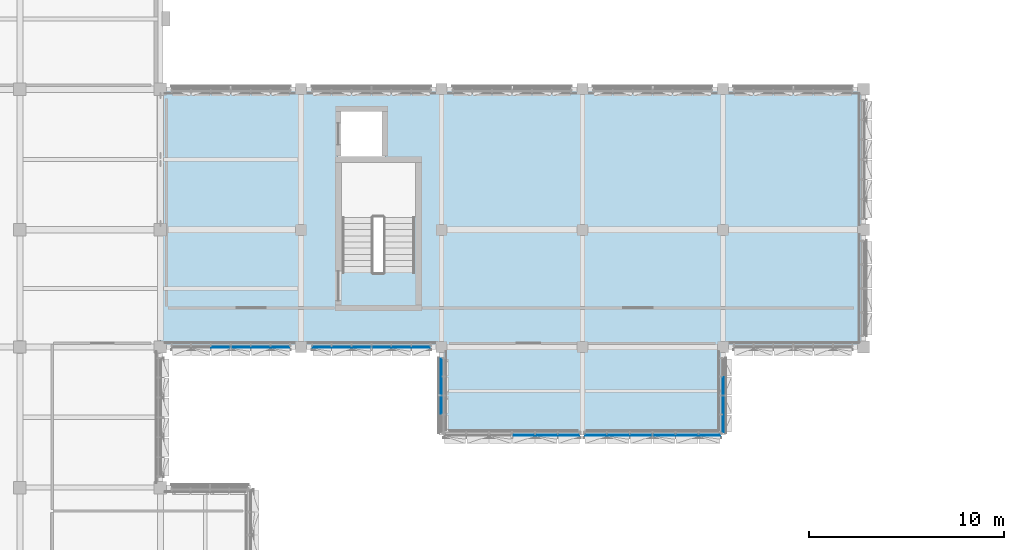
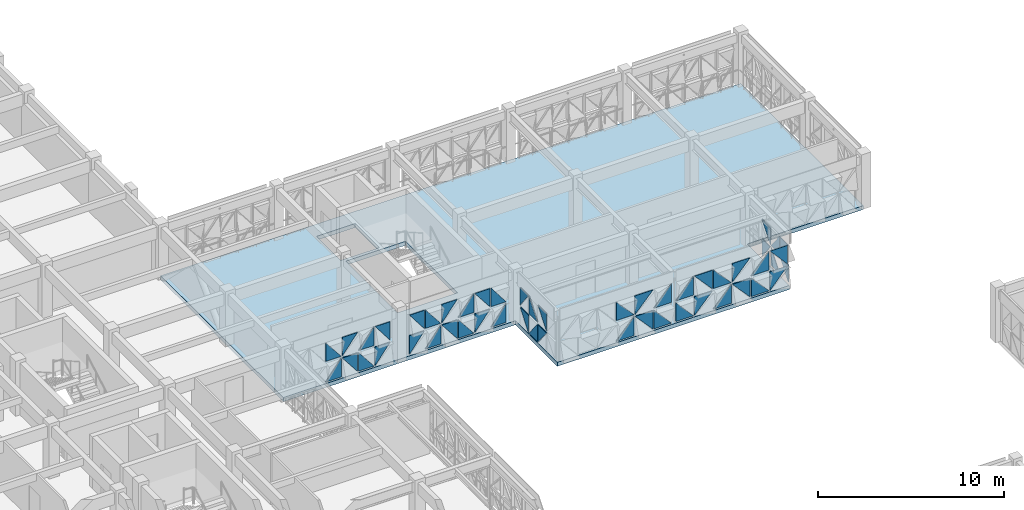
# One storey, part 35 of 85: 50 plates, 1 slab, 6 elements without a shape of their own.
"""IFC4 building model written with IfcOpenShell, lengths in metres."""

import ifcopenshell
import ifcopenshell.guid

model = None  # the IFC model being written
_history = None  # IfcOwnerHistory: only IFC2X3 demands one
_inside = {}  # id of a spatial element -> (the spatial element, [elements in it])
_under = {}  # id of a project, library or spatial element -> (it, [spatial elements below it])
_declared = {}  # id of a project -> (the project, [libraries it declares])
_typed = {}  # id of a type object -> (the type object, [elements of that type])
_made_of = {}  # id of a material, layer set ... -> (it, [elements and type objects made of it])


def new_model(schema):
    """Start an empty IFC model of exactly this schema.

    Asked for "IFC4X3", IfcOpenShell would pick the latest addendum, in which some entities
    have other attributes; the version numbers below select the first issue.
    IFC2X3 requires an IfcOwnerHistory on every rooted entity: one is made here for all.
    """
    global model, _history
    if schema == "IFC4X3":
        model = ifcopenshell.file(schema_version=(4, 3, 0, 0))
    else:
        model = ifcopenshell.file(schema=schema)
    _inside.clear()
    _under.clear()
    _declared.clear()
    _typed.clear()
    _made_of.clear()
    _history = None
    if model.schema == "IFC2X3":
        org = make("IfcOrganization", Name="unknown")
        user = make(
            "IfcPersonAndOrganization",
            ThePerson=make("IfcPerson", FamilyName="unknown"),
            TheOrganization=org,
        )
        app = make(
            "IfcApplication",
            ApplicationDeveloper=org,
            Version="unknown",
            ApplicationFullName="unknown",
            ApplicationIdentifier="unknown",
        )
        _history = make(
            "IfcOwnerHistory",
            OwningUser=user,
            OwningApplication=app,
            ChangeAction="ADDED",
            CreationDate=0,
        )
    return model


def make(cls, **values):
    """One entity of the class cls with the attributes given. An attribute that is None is left unset."""
    return model.create_entity(
        cls, **{name: value for name, value in values.items() if value is not None}
    )


def rooted(cls, **values):
    """An entity with a GlobalId (a new one), such as an element, a storey or a relation."""
    return make(cls, GlobalId=ifcopenshell.guid.new(), OwnerHistory=_history, **values)


def si_unit(unit_type, name, prefix=None):
    """IfcSIUnit, for example si_unit("LENGTHUNIT", "METRE", prefix="MILLI")."""
    return make("IfcSIUnit", UnitType=unit_type, Prefix=prefix, Name=name)


def assignment(units):
    """IfcUnitAssignment: the units of a project."""
    return None if units is None else make("IfcUnitAssignment", Units=units)


def point(xyz):
    """IfcCartesianPoint."""
    return None if xyz is None else make("IfcCartesianPoint", Coordinates=xyz)


def direction(xyz):
    """IfcDirection."""
    return None if xyz is None else make("IfcDirection", DirectionRatios=xyz)


def frame(location, z_axis=None, x_axis=None):
    """IfcAxis2Placement3D, a coordinate frame: its origin and axes. An axis left out is left unset."""
    return make(
        "IfcAxis2Placement3D",
        Location=point(location),
        Axis=direction(z_axis),
        RefDirection=direction(x_axis),
    )


def origin():
    """The frame at (0, 0, 0) with its axes left unset."""
    return frame((0.0, 0.0, 0.0))


def place(relative_to, where):
    """IfcLocalPlacement: puts the frame where relative to a parent placement (None: the world)."""
    return make(
        "IfcLocalPlacement", PlacementRelTo=relative_to, RelativePlacement=where
    )


def context(
    kind, dimensions, precision=None, world=None, true_north=None, identifier=None
):
    """IfcGeometricRepresentationContext, for example the 3D "Model" context."""
    return make(
        "IfcGeometricRepresentationContext",
        ContextIdentifier=identifier,
        ContextType=kind,
        CoordinateSpaceDimension=dimensions,
        Precision=precision,
        WorldCoordinateSystem=world,
        TrueNorth=true_north,
    )


def subcontext(parent, identifier, kind, view, scale=None):
    """IfcGeometricRepresentationSubContext, for example "Body" below "Model"."""
    return make(
        "IfcGeometricRepresentationSubContext",
        ContextIdentifier=identifier,
        ContextType=kind,
        ParentContext=parent,
        TargetScale=scale,
        TargetView=view,
    )


def project(units=None, contexts=None):
    """IfcProject with its units and contexts."""
    return rooted(
        "IfcProject",
        Name="project",
        RepresentationContexts=contexts,
        UnitsInContext=assignment(units),
    )


def spatial(cls, under=None, at=None, **own):
    """A site, building, storey or space (cls), placed at a placement, below another one or the project."""
    s = rooted(cls, ObjectPlacement=at, **own)
    if under is not None:
        _under.setdefault(under.id(), (under, []))[1].append(s)
    return s


def polyline(points):
    """IfcPolyline through the points."""
    return make("IfcPolyline", Points=[point(p) for p in points])


def outline(outer, holes=None, kind="AREA"):
    """IfcArbitraryClosedProfileDef: a profile drawn as a closed curve; with holes, ...WithVoids."""
    if holes is None:
        return make("IfcArbitraryClosedProfileDef", ProfileType=kind, OuterCurve=outer)
    return make(
        "IfcArbitraryProfileDefWithVoids",
        ProfileType=kind,
        OuterCurve=outer,
        InnerCurves=holes,
    )


def extrude(swept, where, along, depth):
    """IfcExtrudedAreaSolid: the profile swept, set in the frame where, extruded along a direction by depth."""
    return make(
        "IfcExtrudedAreaSolid",
        SweptArea=swept,
        Position=where,
        ExtrudedDirection=direction(along),
        Depth=depth,
    )


def shape(context_of_items, identifier, shape_type, items):
    """IfcShapeRepresentation: the items that make up one representation, for example the "Body"."""
    return make(
        "IfcShapeRepresentation",
        ContextOfItems=context_of_items,
        RepresentationIdentifier=identifier,
        RepresentationType=shape_type,
        Items=items,
    )


def material(Name=None, Category=None):
    """IfcMaterial."""
    return make("IfcMaterial", Name=Name, Category=Category)


def layer(
    of_material, thickness, ventilated=None, Name=None, Category=None, Priority=None
):
    """IfcMaterialLayer: one layer of a wall or slab, of a material (None: an air gap)."""
    return make(
        "IfcMaterialLayer",
        Material=of_material,
        LayerThickness=thickness,
        IsVentilated=ventilated,
        Name=Name,
        Category=Category,
        Priority=Priority,
    )


def layer_set(layers, Name=None):
    """IfcMaterialLayerSet."""
    return make("IfcMaterialLayerSet", MaterialLayers=layers, LayerSetName=Name)


def made_of(thing, what):
    """Note that an element or type object is made of a material, layer set ...; save() writes the relation."""
    if what is not None:
        _made_of.setdefault(what.id(), (what, []))[1].append(thing)
    return thing


def type_object(cls, material=None, **own):
    """A type object (cls), such as IfcWallType, which elements share."""
    return made_of(rooted(cls, **own), material)


def element(
    cls,
    number,
    at=None,
    inside=None,
    cuts=None,
    type_object=None,
    material=None,
    context=None,
    identifier="Body",
    shape_type=None,
    held_by="IfcProductDefinitionShape",
    body=None,
    shapes=None,
    **own,
):
    """One element of the class cls, such as IfcWall. Its Tag is "e" and its number.

    at: its placement. inside: the storey or other place that contains it. cuts: it is an
    opening in that element (IfcRelVoidsElement). A single representation is given by context,
    identifier, shape_type and body (its items); several are given by shapes. held_by: the class
    of the entity that holds the representations. save() writes the other relations.
    """
    e = rooted(cls, Tag="e%d" % number, ObjectPlacement=at, **own)
    if body is not None:
        shapes = [shape(context, identifier, shape_type, body)]
    if shapes is not None:
        e.Representation = make(held_by, Representations=shapes)
    if inside is not None:
        _inside.setdefault(inside.id(), (inside, []))[1].append(e)
    if cuts is not None:
        rooted(
            "IfcRelVoidsElement", RelatingBuildingElement=cuts, RelatedOpeningElement=e
        )
    if type_object is not None:
        _typed.setdefault(type_object.id(), (type_object, []))[1].append(e)
    return made_of(e, material)


def aggregate(whole, parts):
    """IfcRelAggregates: a whole, such as a stair, and the parts it consists of."""
    return rooted("IfcRelAggregates", RelatingObject=whole, RelatedObjects=parts)


def save(model, path):
    """Write the relations noted so far, then the file.

    IfcRelAggregates (storeys below a building ...), IfcRelContainedInSpatialStructure (elements
    in a storey), IfcRelDefinesByType, IfcRelAssociatesMaterial and IfcRelDeclares: one each for
    every whole, place, type object, material and project.
    """
    for whole, parts in _under.values():
        aggregate(whole, parts)
    for where, things in _inside.values():
        rooted(
            "IfcRelContainedInSpatialStructure",
            RelatedElements=things,
            RelatingStructure=where,
        )
    for kind, things in _typed.values():
        rooted("IfcRelDefinesByType", RelatedObjects=things, RelatingType=kind)
    for what, things in _made_of.values():
        rooted("IfcRelAssociatesMaterial", RelatedObjects=things, RelatingMaterial=what)
    for by, libraries in _declared.values():
        rooted("IfcRelDeclares", RelatingContext=by, RelatedDefinitions=libraries)
    model.write(path)


model = new_model("IFC4")

# Units and contexts
model_context = context("Model", 3, precision=1e-05, world=origin(), true_north=direction((0.0, 1.0)))
body_context = subcontext(model_context, "Body", "Model", "MODEL_VIEW")
ifc_project = project(units=[si_unit("LENGTHUNIT", "METRE"), si_unit("AREAUNIT", "SQUARE_METRE"), si_unit("VOLUMEUNIT", "CUBIC_METRE"), si_unit("PLANEANGLEUNIT", "RADIAN"), si_unit("MASSUNIT", "GRAM", prefix="KILO")], contexts=[model_context])

# Site, building, storey
site_placement = place(None, origin())
site = spatial("IfcSite", under=ifc_project, at=site_placement, CompositionType="ELEMENT")
building_placement = place(site_placement, origin())
building = spatial("IfcBuilding", under=site, at=building_placement, Name="Alvorim Cloister Faculty of Sciences", CompositionType="ELEMENT")
storey_placement = place(building_placement, frame((0.0, 0.0, 8.550048828125)))
storey = spatial("IfcBuildingStorey", under=building, at=storey_placement, Name="L02", CompositionType="ELEMENT", Elevation=8.550048828125)

# Curtain wall, plates
ifc_material_1 = material(Name="Aluminium and Low-E Glass Curtain Wall", Category="aluminium")
curtain_wall_type_1 = type_object("IfcCurtainWallType", Name="CW-TRI-3880x2706", PredefinedType="USERDEFINED", material=ifc_material_1)
curtain_wall_1_placement = place(storey_placement, origin())
curtain_wall_1 = element("IfcCurtainWall", 1, at=curtain_wall_1_placement, inside=storey, type_object=curtain_wall_type_1, Name="L02 Diagonal Cassette Curtain Wall CW-0064", ObjectType="UNITISED CURTAIN WALL", PredefinedType="USERDEFINED")
ifc_material_2 = material(Name="Double Low-E Laminated Glass", Category="glass")
ifc_layer_1 = layer(ifc_material_2, 0.0400390625)
ifc_layer_set_1 = layer_set([ifc_layer_1], Name="Double Low-E Laminated Glass")
plate_type = type_object("IfcPlateType", Name="PN-GLZ-40", PredefinedType="CURTAIN_PANEL", material=ifc_layer_set_1)
plate_1_placement = place(storey_placement, frame((57.625, 38.844970703125, 0.139892578125), z_axis=(0.0, 0.0, 1.0), x_axis=(0.0, 1.0, 0.0)))
plate_1 = element("IfcPlate", 2, at=plate_1_placement, type_object=plate_type, Name="Diagonal Glazed Triangle TRI-TL", PredefinedType="CURTAIN_PANEL", context=body_context, shape_type="SweptSolid", body=[
    extrude(outline(polyline([(0.87060546875, 1.14306640625), (0.0, 1.14306640625), (0.0, 0.001953125), (0.87060546875, 1.14306640625)])), frame((0.0, 0.02490234375, 0.0), z_axis=(0.0, -1.0, 0.0), x_axis=(1.0, 0.0, 0.0)), (0.0, 0.0, 1.0), 0.050048828125),
])
plate_2_placement = place(storey_placement, frame((57.625, 38.844970703125, 1.4228515625), z_axis=(0.0, 0.0, 1.0), x_axis=(0.0, 1.0, 0.0)))
plate_2 = element("IfcPlate", 3, at=plate_2_placement, type_object=plate_type, Name="Diagonal Glazed Triangle TRI-TR", PredefinedType="CURTAIN_PANEL", context=body_context, shape_type="SweptSolid", body=[
    extrude(outline(polyline([(0.87255859375, 0.001953125), (0.87255859375, 1.14306640625), (0.001953125, 1.14306640625), (0.87255859375, 0.001953125)])), frame((0.0, 0.02490234375, 0.0), z_axis=(0.0, -1.0, 0.0), x_axis=(1.0, 0.0, 0.0)), (0.0, 0.0, 1.0), 0.050048828125),
])
plate_3_placement = place(storey_placement, frame((57.625, 39.782470703125, 0.139892578125), z_axis=(0.0, 0.0, 1.0), x_axis=(0.0, 1.0, 0.0)))
plate_3 = element("IfcPlate", 4, at=plate_3_placement, type_object=plate_type, Name="Diagonal Glazed Triangle TRI-BR", PredefinedType="CURTAIN_PANEL", context=body_context, shape_type="SweptSolid", body=[
    extrude(outline(polyline([(0.001953125, 0.0), (0.905029296875, 0.0), (0.905029296875, 1.14111328125), (0.001953125, 0.0)])), frame((0.0, 0.02490234375, 0.0), z_axis=(0.0, -1.0, 0.0), x_axis=(1.0, 0.0, 0.0)), (0.0, 0.0, 1.0), 0.050048828125),
])
plate_4_placement = place(storey_placement, frame((57.625, 39.782470703125, 1.4228515625), z_axis=(0.0, 0.0, 1.0), x_axis=(0.0, 1.0, 0.0)))
plate_4 = element("IfcPlate", 5, at=plate_4_placement, type_object=plate_type, Name="Diagonal Glazed Triangle TRI-BL", PredefinedType="CURTAIN_PANEL", context=body_context, shape_type="SweptSolid", body=[
    extrude(outline(polyline([(0.0, 0.0), (0.903076171875, 0.0), (0.0, 1.14111328125), (0.0, 0.0)])), frame((0.0, 0.02490234375, 0.0), z_axis=(0.0, -1.0, 0.0), x_axis=(1.0, 0.0, 0.0)), (0.0, 0.0, 1.0), 0.050048828125),
])
plate_5_placement = place(storey_placement, frame((57.625, 40.75244140625, 0.139892578125), z_axis=(0.0, 0.0, 1.0), x_axis=(0.0, 1.0, 0.0)))
plate_5 = element("IfcPlate", 6, at=plate_5_placement, type_object=plate_type, Name="Diagonal Glazed Triangle TRI-TR", PredefinedType="CURTAIN_PANEL", context=body_context, shape_type="SweptSolid", body=[
    extrude(outline(polyline([(0.905029296875, 0.001953125), (0.905029296875, 1.14306640625), (0.001953125, 1.14306640625), (0.905029296875, 0.001953125)])), frame((0.0, 0.02490234375, 0.0), z_axis=(0.0, -1.0, 0.0), x_axis=(1.0, 0.0, 0.0)), (0.0, 0.0, 1.0), 0.050048828125),
])
plate_6_placement = place(storey_placement, frame((57.625, 40.75244140625, 1.4228515625), z_axis=(0.0, 0.0, 1.0), x_axis=(0.0, 1.0, 0.0)))
plate_6 = element("IfcPlate", 7, at=plate_6_placement, type_object=plate_type, Name="Diagonal Glazed Triangle TRI-TL", PredefinedType="CURTAIN_PANEL", context=body_context, shape_type="SweptSolid", body=[
    extrude(outline(polyline([(0.903076171875, 1.14306640625), (0.0, 1.14306640625), (0.0, 0.001953125), (0.903076171875, 1.14306640625)])), frame((0.0, 0.02490234375, 0.0), z_axis=(0.0, -1.0, 0.0), x_axis=(1.0, 0.0, 0.0)), (0.0, 0.0, 1.0), 0.050048828125),
])
aggregate(curtain_wall_1, [plate_1, plate_2, plate_3, plate_4, plate_5, plate_6])

curtain_wall_type_2 = type_object("IfcCurtainWallType", Name="CW-TRI-7040x2857", PredefinedType="USERDEFINED", material=ifc_material_1)
curtain_wall_2_placement = place(storey_placement, origin())
curtain_wall_2 = element("IfcCurtainWall", 8, at=curtain_wall_2_placement, inside=storey, type_object=curtain_wall_type_2, Name="L02 Diagonal Cassette Curtain Wall CW-0065", ObjectType="UNITISED CURTAIN WALL", PredefinedType="USERDEFINED")
plate_7_placement = place(storey_placement, frame((50.544921875, 38.675048828125, 0.139892578125), z_axis=(0.0, 0.0, 1.0), x_axis=(1.0, 0.0, 0.0)))
plate_7 = element("IfcPlate", 9, at=plate_7_placement, type_object=plate_type, Name="Diagonal Glazed Triangle TRI-BL", PredefinedType="CURTAIN_PANEL", context=body_context, shape_type="SweptSolid", body=[
    extrude(outline(polyline([(0.0, 0.0), (1.073974609375, 0.0), (0.0, 1.216552734375), (0.0, 0.0)])), frame((0.0, 0.02490234375, 0.0), z_axis=(0.0, -1.0, 0.0), x_axis=(1.0, 0.0, 0.0)), (0.0, 0.0, 1.0), 0.050048828125),
])
plate_8_placement = place(storey_placement, frame((50.544921875, 38.675048828125, 1.49853515625), z_axis=(0.0, 0.0, 1.0), x_axis=(1.0, 0.0, 0.0)))
plate_8 = element("IfcPlate", 10, at=plate_8_placement, type_object=plate_type, Name="Diagonal Glazed Triangle TRI-BR", PredefinedType="CURTAIN_PANEL", context=body_context, shape_type="SweptSolid", body=[
    extrude(outline(polyline([(0.001953125, 0.0), (1.075927734375, 0.0), (1.075927734375, 1.216552734375), (0.001953125, 0.0)])), frame((0.0, 0.02490234375, 0.0), z_axis=(0.0, -1.0, 0.0), x_axis=(1.0, 0.0, 0.0)), (0.0, 0.0, 1.0), 0.050048828125),
])
plate_9_placement = place(storey_placement, frame((51.685791015625, 38.675048828125, 0.139892578125), z_axis=(0.0, 0.0, 1.0), x_axis=(1.0, 0.0, 0.0)))
plate_9 = element("IfcPlate", 11, at=plate_9_placement, type_object=plate_type, Name="Diagonal Glazed Triangle TRI-TL", PredefinedType="CURTAIN_PANEL", context=body_context, shape_type="SweptSolid", body=[
    extrude(outline(polyline([(1.1064453125, 1.218505859375), (0.0, 1.218505859375), (0.0, 0.001953125), (1.1064453125, 1.218505859375)])), frame((0.0, 0.02490234375, 0.0), z_axis=(0.0, -1.0, 0.0), x_axis=(1.0, 0.0, 0.0)), (0.0, 0.0, 1.0), 0.050048828125),
])
plate_10_placement = place(storey_placement, frame((51.685791015625, 38.675048828125, 1.49853515625), z_axis=(0.0, 0.0, 1.0), x_axis=(1.0, 0.0, 0.0)))
plate_10 = element("IfcPlate", 12, at=plate_10_placement, type_object=plate_type, Name="Diagonal Glazed Triangle TRI-TR", PredefinedType="CURTAIN_PANEL", context=body_context, shape_type="SweptSolid", body=[
    extrude(outline(polyline([(1.1083984375, 0.001953125), (1.1083984375, 1.218505859375), (0.001953125, 1.218505859375), (1.1083984375, 0.001953125)])), frame((0.0, 0.02490234375, 0.0), z_axis=(0.0, -1.0, 0.0), x_axis=(1.0, 0.0, 0.0)), (0.0, 0.0, 1.0), 0.050048828125),
])
plate_11_placement = place(storey_placement, frame((52.859130859375, 38.675048828125, 0.139892578125), z_axis=(0.0, 0.0, 1.0), x_axis=(1.0, 0.0, 0.0)))
plate_11 = element("IfcPlate", 13, at=plate_11_placement, type_object=plate_type, Name="Diagonal Glazed Triangle TRI-BR", PredefinedType="CURTAIN_PANEL", context=body_context, shape_type="SweptSolid", body=[
    extrude(outline(polyline([(0.001953125, 0.0), (1.1083984375, 0.0), (1.1083984375, 1.216552734375), (0.001953125, 0.0)])), frame((0.0, 0.02490234375, 0.0), z_axis=(0.0, -1.0, 0.0), x_axis=(1.0, 0.0, 0.0)), (0.0, 0.0, 1.0), 0.050048828125),
])
plate_12_placement = place(storey_placement, frame((52.859130859375, 38.675048828125, 1.49853515625), z_axis=(0.0, 0.0, 1.0), x_axis=(1.0, 0.0, 0.0)))
plate_12 = element("IfcPlate", 14, at=plate_12_placement, type_object=plate_type, Name="Diagonal Glazed Triangle TRI-BL", PredefinedType="CURTAIN_PANEL", context=body_context, shape_type="SweptSolid", body=[
    extrude(outline(polyline([(0.0, 0.0), (1.1064453125, 0.0), (0.0, 1.216552734375), (0.0, 0.0)])), frame((0.0, 0.02490234375, 0.0), z_axis=(0.0, -1.0, 0.0), x_axis=(1.0, 0.0, 0.0)), (0.0, 0.0, 1.0), 0.050048828125),
])
plate_13_placement = place(storey_placement, frame((54.032470703125, 38.675048828125, 0.139892578125), z_axis=(0.0, 0.0, 1.0), x_axis=(1.0, 0.0, 0.0)))
plate_13 = element("IfcPlate", 15, at=plate_13_placement, type_object=plate_type, Name="Diagonal Glazed Triangle TRI-TR", PredefinedType="CURTAIN_PANEL", context=body_context, shape_type="SweptSolid", body=[
    extrude(outline(polyline([(1.1083984375, 0.001953125), (1.1083984375, 1.218505859375), (0.001953125, 1.218505859375), (1.1083984375, 0.001953125)])), frame((0.0, 0.02490234375, 0.0), z_axis=(0.0, -1.0, 0.0), x_axis=(1.0, 0.0, 0.0)), (0.0, 0.0, 1.0), 0.050048828125),
])
plate_14_placement = place(storey_placement, frame((54.032470703125, 38.675048828125, 1.49853515625), z_axis=(0.0, 0.0, 1.0), x_axis=(1.0, 0.0, 0.0)))
plate_14 = element("IfcPlate", 16, at=plate_14_placement, type_object=plate_type, Name="Diagonal Glazed Triangle TRI-TL", PredefinedType="CURTAIN_PANEL", context=body_context, shape_type="SweptSolid", body=[
    extrude(outline(polyline([(1.1064453125, 1.218505859375), (0.0, 1.218505859375), (0.0, 0.001953125), (1.1064453125, 1.218505859375)])), frame((0.0, 0.02490234375, 0.0), z_axis=(0.0, -1.0, 0.0), x_axis=(1.0, 0.0, 0.0)), (0.0, 0.0, 1.0), 0.050048828125),
])
plate_15_placement = place(storey_placement, frame((55.205810546875, 38.675048828125, 0.139892578125), z_axis=(0.0, 0.0, 1.0), x_axis=(1.0, 0.0, 0.0)))
plate_15 = element("IfcPlate", 17, at=plate_15_placement, type_object=plate_type, Name="Diagonal Glazed Triangle TRI-BL", PredefinedType="CURTAIN_PANEL", context=body_context, shape_type="SweptSolid", body=[
    extrude(outline(polyline([(0.0, 0.0), (1.1064453125, 0.0), (0.0, 1.216552734375), (0.0, 0.0)])), frame((0.0, 0.02490234375, 0.0), z_axis=(0.0, -1.0, 0.0), x_axis=(1.0, 0.0, 0.0)), (0.0, 0.0, 1.0), 0.050048828125),
])
plate_16_placement = place(storey_placement, frame((55.205810546875, 38.675048828125, 1.49853515625), z_axis=(0.0, 0.0, 1.0), x_axis=(1.0, 0.0, 0.0)))
plate_16 = element("IfcPlate", 18, at=plate_16_placement, type_object=plate_type, Name="Diagonal Glazed Triangle TRI-BR", PredefinedType="CURTAIN_PANEL", context=body_context, shape_type="SweptSolid", body=[
    extrude(outline(polyline([(0.001953125, 0.0), (1.1083984375, 0.0), (1.1083984375, 1.216552734375), (0.001953125, 0.0)])), frame((0.0, 0.02490234375, 0.0), z_axis=(0.0, -1.0, 0.0), x_axis=(1.0, 0.0, 0.0)), (0.0, 0.0, 1.0), 0.050048828125),
])
plate_17_placement = place(storey_placement, frame((56.379150390625, 38.675048828125, 0.139892578125), z_axis=(0.0, 0.0, 1.0), x_axis=(1.0, 0.0, 0.0)))
plate_17 = element("IfcPlate", 19, at=plate_17_placement, type_object=plate_type, Name="Diagonal Glazed Triangle TRI-TL", PredefinedType="CURTAIN_PANEL", context=body_context, shape_type="SweptSolid", body=[
    extrude(outline(polyline([(1.073974609375, 1.218505859375), (0.0, 1.218505859375), (0.0, 0.001953125), (1.073974609375, 1.218505859375)])), frame((0.0, 0.02490234375, 0.0), z_axis=(0.0, -1.0, 0.0), x_axis=(1.0, 0.0, 0.0)), (0.0, 0.0, 1.0), 0.050048828125),
])
plate_18_placement = place(storey_placement, frame((56.379150390625, 38.675048828125, 1.49853515625), z_axis=(0.0, 0.0, 1.0), x_axis=(1.0, 0.0, 0.0)))
plate_18 = element("IfcPlate", 20, at=plate_18_placement, type_object=plate_type, Name="Diagonal Glazed Triangle TRI-TR", PredefinedType="CURTAIN_PANEL", context=body_context, shape_type="SweptSolid", body=[
    extrude(outline(polyline([(1.075927734375, 0.001953125), (1.075927734375, 1.218505859375), (0.001953125, 1.218505859375), (1.075927734375, 0.001953125)])), frame((0.0, 0.02490234375, 0.0), z_axis=(0.0, -1.0, 0.0), x_axis=(1.0, 0.0, 0.0)), (0.0, 0.0, 1.0), 0.050048828125),
])
aggregate(curtain_wall_2, [plate_7, plate_8, plate_9, plate_10, plate_11, plate_12, plate_13, plate_14, plate_15, plate_16, plate_17, plate_18])

curtain_wall_3_placement = place(storey_placement, origin())
curtain_wall_3 = element("IfcCurtainWall", 21, at=curtain_wall_3_placement, inside=storey, type_object=curtain_wall_type_2, Name="L02 Diagonal Cassette Curtain Wall CW-0066", ObjectType="UNITISED CURTAIN WALL", PredefinedType="USERDEFINED")
plate_19_placement = place(storey_placement, frame((46.83251953125, 38.675048828125, 0.139892578125), z_axis=(0.0, 0.0, 1.0), x_axis=(1.0, 0.0, 0.0)))
plate_19 = element("IfcPlate", 22, at=plate_19_placement, type_object=plate_type, Name="Diagonal Glazed Triangle TRI-BR", PredefinedType="CURTAIN_PANEL", context=body_context, shape_type="SweptSolid", body=[
    extrude(outline(polyline([(0.001953125, 0.0), (1.1083984375, 0.0), (1.1083984375, 1.216552734375), (0.001953125, 0.0)])), frame((0.0, 0.02490234375, 0.0), z_axis=(0.0, -1.0, 0.0), x_axis=(1.0, 0.0, 0.0)), (0.0, 0.0, 1.0), 0.050048828125),
])
plate_20_placement = place(storey_placement, frame((46.83251953125, 38.675048828125, 1.49853515625), z_axis=(0.0, 0.0, 1.0), x_axis=(1.0, 0.0, 0.0)))
plate_20 = element("IfcPlate", 23, at=plate_20_placement, type_object=plate_type, Name="Diagonal Glazed Triangle TRI-BL", PredefinedType="CURTAIN_PANEL", context=body_context, shape_type="SweptSolid", body=[
    extrude(outline(polyline([(0.0, 0.0), (1.1064453125, 0.0), (0.0, 1.216552734375), (0.0, 0.0)])), frame((0.0, 0.02490234375, 0.0), z_axis=(0.0, -1.0, 0.0), x_axis=(1.0, 0.0, 0.0)), (0.0, 0.0, 1.0), 0.050048828125),
])
plate_21_placement = place(storey_placement, frame((48.005859375, 38.675048828125, 0.139892578125), z_axis=(0.0, 0.0, 1.0), x_axis=(1.0, 0.0, 0.0)))
plate_21 = element("IfcPlate", 24, at=plate_21_placement, type_object=plate_type, Name="Diagonal Glazed Triangle TRI-TR", PredefinedType="CURTAIN_PANEL", context=body_context, shape_type="SweptSolid", body=[
    extrude(outline(polyline([(1.1083984375, 0.001953125), (1.1083984375, 1.218505859375), (0.001953125, 1.218505859375), (1.1083984375, 0.001953125)])), frame((0.0, 0.02490234375, 0.0), z_axis=(0.0, -1.0, 0.0), x_axis=(1.0, 0.0, 0.0)), (0.0, 0.0, 1.0), 0.050048828125),
])
plate_22_placement = place(storey_placement, frame((48.005859375, 38.675048828125, 1.49853515625), z_axis=(0.0, 0.0, 1.0), x_axis=(1.0, 0.0, 0.0)))
plate_22 = element("IfcPlate", 25, at=plate_22_placement, type_object=plate_type, Name="Diagonal Glazed Triangle TRI-TL", PredefinedType="CURTAIN_PANEL", context=body_context, shape_type="SweptSolid", body=[
    extrude(outline(polyline([(1.1064453125, 1.218505859375), (0.0, 1.218505859375), (0.0, 0.001953125), (1.1064453125, 1.218505859375)])), frame((0.0, 0.02490234375, 0.0), z_axis=(0.0, -1.0, 0.0), x_axis=(1.0, 0.0, 0.0)), (0.0, 0.0, 1.0), 0.050048828125),
])
plate_23_placement = place(storey_placement, frame((49.17919921875, 38.675048828125, 0.139892578125), z_axis=(0.0, 0.0, 1.0), x_axis=(1.0, 0.0, 0.0)))
plate_23 = element("IfcPlate", 26, at=plate_23_placement, type_object=plate_type, Name="Diagonal Glazed Triangle TRI-BL", PredefinedType="CURTAIN_PANEL", context=body_context, shape_type="SweptSolid", body=[
    extrude(outline(polyline([(0.0, 0.0), (1.073974609375, 0.0), (0.0, 1.216552734375), (0.0, 0.0)])), frame((0.0, 0.02490234375, 0.0), z_axis=(0.0, -1.0, 0.0), x_axis=(1.0, 0.0, 0.0)), (0.0, 0.0, 1.0), 0.050048828125),
])
plate_24_placement = place(storey_placement, frame((49.17919921875, 38.675048828125, 1.49853515625), z_axis=(0.0, 0.0, 1.0), x_axis=(1.0, 0.0, 0.0)))
plate_24 = element("IfcPlate", 27, at=plate_24_placement, type_object=plate_type, Name="Diagonal Glazed Triangle TRI-BR", PredefinedType="CURTAIN_PANEL", context=body_context, shape_type="SweptSolid", body=[
    extrude(outline(polyline([(0.001953125, 0.0), (1.075927734375, 0.0), (1.075927734375, 1.216552734375), (0.001953125, 0.0)])), frame((0.0, 0.02490234375, 0.0), z_axis=(0.0, -1.0, 0.0), x_axis=(1.0, 0.0, 0.0)), (0.0, 0.0, 1.0), 0.050048828125),
])
aggregate(curtain_wall_3, [plate_19, plate_20, plate_21, plate_22, plate_23, plate_24])

curtain_wall_4_placement = place(storey_placement, origin())
curtain_wall_4 = element("IfcCurtainWall", 28, at=curtain_wall_4_placement, inside=storey, type_object=curtain_wall_type_1, Name="L02 Diagonal Cassette Curtain Wall CW-0067", ObjectType="UNITISED CURTAIN WALL", PredefinedType="USERDEFINED")
plate_25_placement = place(storey_placement, frame((43.175048828125, 39.782470703125, 0.139892578125), z_axis=(0.0, 0.0, 1.0), x_axis=(0.0, 1.0, 0.0)))
plate_25 = element("IfcPlate", 29, at=plate_25_placement, type_object=plate_type, Name="Diagonal Glazed Triangle TRI-TR", PredefinedType="CURTAIN_PANEL", context=body_context, shape_type="SweptSolid", body=[
    extrude(outline(polyline([(0.905029296875, 0.001953125), (0.905029296875, 1.14306640625), (0.001953125, 1.14306640625), (0.905029296875, 0.001953125)])), frame((0.0, 0.02490234375, 0.0), z_axis=(0.0, -1.0, 0.0), x_axis=(1.0, 0.0, 0.0)), (0.0, 0.0, 1.0), 0.050048828125),
])
plate_26_placement = place(storey_placement, frame((43.175048828125, 39.782470703125, 1.4228515625), z_axis=(0.0, 0.0, 1.0), x_axis=(0.0, 1.0, 0.0)))
plate_26 = element("IfcPlate", 30, at=plate_26_placement, type_object=plate_type, Name="Diagonal Glazed Triangle TRI-TL", PredefinedType="CURTAIN_PANEL", context=body_context, shape_type="SweptSolid", body=[
    extrude(outline(polyline([(0.903076171875, 1.14306640625), (0.0, 1.14306640625), (0.0, 0.001953125), (0.903076171875, 1.14306640625)])), frame((0.0, 0.02490234375, 0.0), z_axis=(0.0, -1.0, 0.0), x_axis=(1.0, 0.0, 0.0)), (0.0, 0.0, 1.0), 0.050048828125),
])
plate_27_placement = place(storey_placement, frame((43.175048828125, 40.75244140625, 0.139892578125), z_axis=(0.0, 0.0, 1.0), x_axis=(0.0, 1.0, 0.0)))
plate_27 = element("IfcPlate", 31, at=plate_27_placement, type_object=plate_type, Name="Diagonal Glazed Triangle TRI-BL", PredefinedType="CURTAIN_PANEL", context=body_context, shape_type="SweptSolid", body=[
    extrude(outline(polyline([(0.0, 0.0), (0.903076171875, 0.0), (0.0, 1.14111328125), (0.0, 0.0)])), frame((0.0, 0.02490234375, 0.0), z_axis=(0.0, -1.0, 0.0), x_axis=(1.0, 0.0, 0.0)), (0.0, 0.0, 1.0), 0.050048828125),
])
plate_28_placement = place(storey_placement, frame((43.175048828125, 40.75244140625, 1.4228515625), z_axis=(0.0, 0.0, 1.0), x_axis=(0.0, 1.0, 0.0)))
plate_28 = element("IfcPlate", 32, at=plate_28_placement, type_object=plate_type, Name="Diagonal Glazed Triangle TRI-BR", PredefinedType="CURTAIN_PANEL", context=body_context, shape_type="SweptSolid", body=[
    extrude(outline(polyline([(0.001953125, 0.0), (0.905029296875, 0.0), (0.905029296875, 1.14111328125), (0.001953125, 0.0)])), frame((0.0, 0.02490234375, 0.0), z_axis=(0.0, -1.0, 0.0), x_axis=(1.0, 0.0, 0.0)), (0.0, 0.0, 1.0), 0.050048828125),
])
plate_29_placement = place(storey_placement, frame((43.175048828125, 41.722412109375, 0.139892578125), z_axis=(0.0, 0.0, 1.0), x_axis=(0.0, 1.0, 0.0)))
plate_29 = element("IfcPlate", 33, at=plate_29_placement, type_object=plate_type, Name="Diagonal Glazed Triangle TRI-TL", PredefinedType="CURTAIN_PANEL", context=body_context, shape_type="SweptSolid", body=[
    extrude(outline(polyline([(0.87060546875, 1.14306640625), (0.0, 1.14306640625), (0.0, 0.001953125), (0.87060546875, 1.14306640625)])), frame((0.0, 0.02490234375, 0.0), z_axis=(0.0, -1.0, 0.0), x_axis=(1.0, 0.0, 0.0)), (0.0, 0.0, 1.0), 0.050048828125),
])
plate_30_placement = place(storey_placement, frame((43.175048828125, 41.722412109375, 1.4228515625), z_axis=(0.0, 0.0, 1.0), x_axis=(0.0, 1.0, 0.0)))
plate_30 = element("IfcPlate", 34, at=plate_30_placement, type_object=plate_type, Name="Diagonal Glazed Triangle TRI-TR", PredefinedType="CURTAIN_PANEL", context=body_context, shape_type="SweptSolid", body=[
    extrude(outline(polyline([(0.87255859375, 0.001953125), (0.87255859375, 1.14306640625), (0.001953125, 1.14306640625), (0.87255859375, 0.001953125)])), frame((0.0, 0.02490234375, 0.0), z_axis=(0.0, -1.0, 0.0), x_axis=(1.0, 0.0, 0.0)), (0.0, 0.0, 1.0), 0.050048828125),
])
aggregate(curtain_wall_4, [plate_25, plate_26, plate_27, plate_28, plate_29, plate_30])

curtain_wall_type_3 = type_object("IfcCurtainWallType", Name="CW-TRI-6120x2850", PredefinedType="USERDEFINED", material=ifc_material_1)
curtain_wall_5_placement = place(storey_placement, origin())
curtain_wall_5 = element("IfcCurtainWall", 35, at=curtain_wall_5_placement, inside=storey, type_object=curtain_wall_type_3, Name="L02 Diagonal Cassette Curtain Wall CW-0068", ObjectType="UNITISED CURTAIN WALL", PredefinedType="USERDEFINED")
plate_31_placement = place(storey_placement, frame((36.60498046875, 43.175048828125, 0.139892578125), z_axis=(0.0, 0.0, 1.0), x_axis=(1.0, 0.0, 0.0)))
plate_31 = element("IfcPlate", 36, at=plate_31_placement, type_object=plate_type, Name="Diagonal Glazed Triangle TRI-TL", PredefinedType="CURTAIN_PANEL", context=body_context, shape_type="SweptSolid", body=[
    extrude(outline(polyline([(0.920654296875, 1.215087890625), (0.0, 1.215087890625), (0.0, 0.001953125), (0.920654296875, 1.215087890625)])), frame((0.0, 0.02490234375, 0.0), z_axis=(0.0, -1.0, 0.0), x_axis=(1.0, 0.0, 0.0)), (0.0, 0.0, 1.0), 0.050048828125),
])
plate_32_placement = place(storey_placement, frame((36.60498046875, 43.175048828125, 1.494873046875), z_axis=(0.0, 0.0, 1.0), x_axis=(1.0, 0.0, 0.0)))
plate_32 = element("IfcPlate", 37, at=plate_32_placement, type_object=plate_type, Name="Diagonal Glazed Triangle TRI-TR", PredefinedType="CURTAIN_PANEL", context=body_context, shape_type="SweptSolid", body=[
    extrude(outline(polyline([(0.922607421875, 0.001953125), (0.922607421875, 1.215087890625), (0.001953125, 1.215087890625), (0.922607421875, 0.001953125)])), frame((0.0, 0.02490234375, 0.0), z_axis=(0.0, -1.0, 0.0), x_axis=(1.0, 0.0, 0.0)), (0.0, 0.0, 1.0), 0.050048828125),
])
plate_33_placement = place(storey_placement, frame((37.592529296875, 43.175048828125, 0.139892578125), z_axis=(0.0, 0.0, 1.0), x_axis=(1.0, 0.0, 0.0)))
plate_33 = element("IfcPlate", 38, at=plate_33_placement, type_object=plate_type, Name="Diagonal Glazed Triangle TRI-BR", PredefinedType="CURTAIN_PANEL", context=body_context, shape_type="SweptSolid", body=[
    extrude(outline(polyline([(0.001953125, 0.0), (0.955078125, 0.0), (0.955078125, 1.213134765625), (0.001953125, 0.0)])), frame((0.0, 0.02490234375, 0.0), z_axis=(0.0, -1.0, 0.0), x_axis=(1.0, 0.0, 0.0)), (0.0, 0.0, 1.0), 0.050048828125),
])
plate_34_placement = place(storey_placement, frame((37.592529296875, 43.175048828125, 1.494873046875), z_axis=(0.0, 0.0, 1.0), x_axis=(1.0, 0.0, 0.0)))
plate_34 = element("IfcPlate", 39, at=plate_34_placement, type_object=plate_type, Name="Diagonal Glazed Triangle TRI-BL", PredefinedType="CURTAIN_PANEL", context=body_context, shape_type="SweptSolid", body=[
    extrude(outline(polyline([(0.0, 0.0), (0.953125, 0.0), (0.0, 1.213134765625), (0.0, 0.0)])), frame((0.0, 0.02490234375, 0.0), z_axis=(0.0, -1.0, 0.0), x_axis=(1.0, 0.0, 0.0)), (0.0, 0.0, 1.0), 0.050048828125),
])
plate_35_placement = place(storey_placement, frame((38.612548828125, 43.175048828125, 0.139892578125), z_axis=(0.0, 0.0, 1.0), x_axis=(1.0, 0.0, 0.0)))
plate_35 = element("IfcPlate", 40, at=plate_35_placement, type_object=plate_type, Name="Diagonal Glazed Triangle TRI-TR", PredefinedType="CURTAIN_PANEL", context=body_context, shape_type="SweptSolid", body=[
    extrude(outline(polyline([(0.955078125, 0.001953125), (0.955078125, 1.215087890625), (0.001953125, 1.215087890625), (0.955078125, 0.001953125)])), frame((0.0, 0.02490234375, 0.0), z_axis=(0.0, -1.0, 0.0), x_axis=(1.0, 0.0, 0.0)), (0.0, 0.0, 1.0), 0.050048828125),
])
plate_36_placement = place(storey_placement, frame((38.612548828125, 43.175048828125, 1.494873046875), z_axis=(0.0, 0.0, 1.0), x_axis=(1.0, 0.0, 0.0)))
plate_36 = element("IfcPlate", 41, at=plate_36_placement, type_object=plate_type, Name="Diagonal Glazed Triangle TRI-TL", PredefinedType="CURTAIN_PANEL", context=body_context, shape_type="SweptSolid", body=[
    extrude(outline(polyline([(0.953125, 1.215087890625), (0.0, 1.215087890625), (0.0, 0.001953125), (0.953125, 1.215087890625)])), frame((0.0, 0.02490234375, 0.0), z_axis=(0.0, -1.0, 0.0), x_axis=(1.0, 0.0, 0.0)), (0.0, 0.0, 1.0), 0.050048828125),
])
plate_37_placement = place(storey_placement, frame((39.632568359375, 43.175048828125, 0.139892578125), z_axis=(0.0, 0.0, 1.0), x_axis=(1.0, 0.0, 0.0)))
plate_37 = element("IfcPlate", 42, at=plate_37_placement, type_object=plate_type, Name="Diagonal Glazed Triangle TRI-BL", PredefinedType="CURTAIN_PANEL", context=body_context, shape_type="SweptSolid", body=[
    extrude(outline(polyline([(0.0, 0.0), (0.953125, 0.0), (0.0, 1.213134765625), (0.0, 0.0)])), frame((0.0, 0.02490234375, 0.0), z_axis=(0.0, -1.0, 0.0), x_axis=(1.0, 0.0, 0.0)), (0.0, 0.0, 1.0), 0.050048828125),
])
plate_38_placement = place(storey_placement, frame((39.632568359375, 43.175048828125, 1.494873046875), z_axis=(0.0, 0.0, 1.0), x_axis=(1.0, 0.0, 0.0)))
plate_38 = element("IfcPlate", 43, at=plate_38_placement, type_object=plate_type, Name="Diagonal Glazed Triangle TRI-BR", PredefinedType="CURTAIN_PANEL", context=body_context, shape_type="SweptSolid", body=[
    extrude(outline(polyline([(0.001953125, 0.0), (0.955078125, 0.0), (0.955078125, 1.213134765625), (0.001953125, 0.0)])), frame((0.0, 0.02490234375, 0.0), z_axis=(0.0, -1.0, 0.0), x_axis=(1.0, 0.0, 0.0)), (0.0, 0.0, 1.0), 0.050048828125),
])
plate_39_placement = place(storey_placement, frame((40.652587890625, 43.175048828125, 0.139892578125), z_axis=(0.0, 0.0, 1.0), x_axis=(1.0, 0.0, 0.0)))
plate_39 = element("IfcPlate", 44, at=plate_39_placement, type_object=plate_type, Name="Diagonal Glazed Triangle TRI-TL", PredefinedType="CURTAIN_PANEL", context=body_context, shape_type="SweptSolid", body=[
    extrude(outline(polyline([(0.953125, 1.215087890625), (0.0, 1.215087890625), (0.0, 0.001953125), (0.953125, 1.215087890625)])), frame((0.0, 0.02490234375, 0.0), z_axis=(0.0, -1.0, 0.0), x_axis=(1.0, 0.0, 0.0)), (0.0, 0.0, 1.0), 0.050048828125),
])
plate_40_placement = place(storey_placement, frame((40.652587890625, 43.175048828125, 1.494873046875), z_axis=(0.0, 0.0, 1.0), x_axis=(1.0, 0.0, 0.0)))
plate_40 = element("IfcPlate", 45, at=plate_40_placement, type_object=plate_type, Name="Diagonal Glazed Triangle TRI-TR", PredefinedType="CURTAIN_PANEL", context=body_context, shape_type="SweptSolid", body=[
    extrude(outline(polyline([(0.955078125, 0.001953125), (0.955078125, 1.215087890625), (0.001953125, 1.215087890625), (0.955078125, 0.001953125)])), frame((0.0, 0.02490234375, 0.0), z_axis=(0.0, -1.0, 0.0), x_axis=(1.0, 0.0, 0.0)), (0.0, 0.0, 1.0), 0.050048828125),
])
plate_41_placement = place(storey_placement, frame((41.672607421875, 43.175048828125, 0.139892578125), z_axis=(0.0, 0.0, 1.0), x_axis=(1.0, 0.0, 0.0)))
plate_41 = element("IfcPlate", 46, at=plate_41_placement, type_object=plate_type, Name="Diagonal Glazed Triangle TRI-BR", PredefinedType="CURTAIN_PANEL", context=body_context, shape_type="SweptSolid", body=[
    extrude(outline(polyline([(0.001953125, 0.0), (0.922607421875, 0.0), (0.922607421875, 1.213134765625), (0.001953125, 0.0)])), frame((0.0, 0.02490234375, 0.0), z_axis=(0.0, -1.0, 0.0), x_axis=(1.0, 0.0, 0.0)), (0.0, 0.0, 1.0), 0.050048828125),
])
plate_42_placement = place(storey_placement, frame((41.672607421875, 43.175048828125, 1.494873046875), z_axis=(0.0, 0.0, 1.0), x_axis=(1.0, 0.0, 0.0)))
plate_42 = element("IfcPlate", 47, at=plate_42_placement, type_object=plate_type, Name="Diagonal Glazed Triangle TRI-BL", PredefinedType="CURTAIN_PANEL", context=body_context, shape_type="SweptSolid", body=[
    extrude(outline(polyline([(0.0, 0.0), (0.920654296875, 0.0), (0.0, 1.213134765625), (0.0, 0.0)])), frame((0.0, 0.02490234375, 0.0), z_axis=(0.0, -1.0, 0.0), x_axis=(1.0, 0.0, 0.0)), (0.0, 0.0, 1.0), 0.050048828125),
])
aggregate(curtain_wall_5, [plate_31, plate_32, plate_33, plate_34, plate_35, plate_36, plate_37, plate_38, plate_39, plate_40, plate_41, plate_42])

curtain_wall_6_placement = place(storey_placement, origin())
curtain_wall_6 = element("IfcCurtainWall", 48, at=curtain_wall_6_placement, inside=storey, type_object=curtain_wall_type_3, Name="L02 Diagonal Cassette Curtain Wall CW-0069", ObjectType="UNITISED CURTAIN WALL", PredefinedType="USERDEFINED")
plate_43_placement = place(storey_placement, frame((31.41259765625, 43.175048828125, 0.139892578125), z_axis=(0.0, 0.0, 1.0), x_axis=(1.0, 0.0, 0.0)))
plate_43 = element("IfcPlate", 49, at=plate_43_placement, type_object=plate_type, Name="Diagonal Glazed Triangle TRI-BR", PredefinedType="CURTAIN_PANEL", context=body_context, shape_type="SweptSolid", body=[
    extrude(outline(polyline([(0.001953125, 0.0), (0.955078125, 0.0), (0.955078125, 1.213134765625), (0.001953125, 0.0)])), frame((0.0, 0.02490234375, 0.0), z_axis=(0.0, -1.0, 0.0), x_axis=(1.0, 0.0, 0.0)), (0.0, 0.0, 1.0), 0.050048828125),
])
plate_44_placement = place(storey_placement, frame((31.41259765625, 43.175048828125, 1.494873046875), z_axis=(0.0, 0.0, 1.0), x_axis=(1.0, 0.0, 0.0)))
plate_44 = element("IfcPlate", 50, at=plate_44_placement, type_object=plate_type, Name="Diagonal Glazed Triangle TRI-BL", PredefinedType="CURTAIN_PANEL", context=body_context, shape_type="SweptSolid", body=[
    extrude(outline(polyline([(0.0, 0.0), (0.953125, 0.0), (0.0, 1.213134765625), (0.0, 0.0)])), frame((0.0, 0.02490234375, 0.0), z_axis=(0.0, -1.0, 0.0), x_axis=(1.0, 0.0, 0.0)), (0.0, 0.0, 1.0), 0.050048828125),
])
plate_45_placement = place(storey_placement, frame((32.4326171875, 43.175048828125, 0.139892578125), z_axis=(0.0, 0.0, 1.0), x_axis=(1.0, 0.0, 0.0)))
plate_45 = element("IfcPlate", 51, at=plate_45_placement, type_object=plate_type, Name="Diagonal Glazed Triangle TRI-TR", PredefinedType="CURTAIN_PANEL", context=body_context, shape_type="SweptSolid", body=[
    extrude(outline(polyline([(0.955078125, 0.001953125), (0.955078125, 1.215087890625), (0.001953125, 1.215087890625), (0.955078125, 0.001953125)])), frame((0.0, 0.02490234375, 0.0), z_axis=(0.0, -1.0, 0.0), x_axis=(1.0, 0.0, 0.0)), (0.0, 0.0, 1.0), 0.050048828125),
])
plate_46_placement = place(storey_placement, frame((32.4326171875, 43.175048828125, 1.494873046875), z_axis=(0.0, 0.0, 1.0), x_axis=(1.0, 0.0, 0.0)))
plate_46 = element("IfcPlate", 52, at=plate_46_placement, type_object=plate_type, Name="Diagonal Glazed Triangle TRI-TL", PredefinedType="CURTAIN_PANEL", context=body_context, shape_type="SweptSolid", body=[
    extrude(outline(polyline([(0.953125, 1.215087890625), (0.0, 1.215087890625), (0.0, 0.001953125), (0.953125, 1.215087890625)])), frame((0.0, 0.02490234375, 0.0), z_axis=(0.0, -1.0, 0.0), x_axis=(1.0, 0.0, 0.0)), (0.0, 0.0, 1.0), 0.050048828125),
])
plate_47_placement = place(storey_placement, frame((33.452392578125, 43.175048828125, 0.139892578125), z_axis=(0.0, 0.0, 1.0), x_axis=(1.0, 0.0, 0.0)))
plate_47 = element("IfcPlate", 53, at=plate_47_placement, type_object=plate_type, Name="Diagonal Glazed Triangle TRI-BL", PredefinedType="CURTAIN_PANEL", context=body_context, shape_type="SweptSolid", body=[
    extrude(outline(polyline([(0.0, 0.0), (0.953125, 0.0), (0.0, 1.213134765625), (0.0, 0.0)])), frame((0.0, 0.02490234375, 0.0), z_axis=(0.0, -1.0, 0.0), x_axis=(1.0, 0.0, 0.0)), (0.0, 0.0, 1.0), 0.050048828125),
])
plate_48_placement = place(storey_placement, frame((33.452392578125, 43.175048828125, 1.494873046875), z_axis=(0.0, 0.0, 1.0), x_axis=(1.0, 0.0, 0.0)))
plate_48 = element("IfcPlate", 54, at=plate_48_placement, type_object=plate_type, Name="Diagonal Glazed Triangle TRI-BR", PredefinedType="CURTAIN_PANEL", context=body_context, shape_type="SweptSolid", body=[
    extrude(outline(polyline([(0.001953125, 0.0), (0.955078125, 0.0), (0.955078125, 1.213134765625), (0.001953125, 0.0)])), frame((0.0, 0.02490234375, 0.0), z_axis=(0.0, -1.0, 0.0), x_axis=(1.0, 0.0, 0.0)), (0.0, 0.0, 1.0), 0.050048828125),
])
plate_49_placement = place(storey_placement, frame((34.472412109375, 43.175048828125, 0.139892578125), z_axis=(0.0, 0.0, 1.0), x_axis=(1.0, 0.0, 0.0)))
plate_49 = element("IfcPlate", 55, at=plate_49_placement, type_object=plate_type, Name="Diagonal Glazed Triangle TRI-TL", PredefinedType="CURTAIN_PANEL", context=body_context, shape_type="SweptSolid", body=[
    extrude(outline(polyline([(0.920654296875, 1.215087890625), (0.0, 1.215087890625), (0.0, 0.001953125), (0.920654296875, 1.215087890625)])), frame((0.0, 0.02490234375, 0.0), z_axis=(0.0, -1.0, 0.0), x_axis=(1.0, 0.0, 0.0)), (0.0, 0.0, 1.0), 0.050048828125),
])
plate_50_placement = place(storey_placement, frame((34.472412109375, 43.175048828125, 1.494873046875), z_axis=(0.0, 0.0, 1.0), x_axis=(1.0, 0.0, 0.0)))
plate_50 = element("IfcPlate", 56, at=plate_50_placement, type_object=plate_type, Name="Diagonal Glazed Triangle TRI-TR", PredefinedType="CURTAIN_PANEL", context=body_context, shape_type="SweptSolid", body=[
    extrude(outline(polyline([(0.922607421875, 0.001953125), (0.922607421875, 1.215087890625), (0.001953125, 1.215087890625), (0.922607421875, 0.001953125)])), frame((0.0, 0.02490234375, 0.0), z_axis=(0.0, -1.0, 0.0), x_axis=(1.0, 0.0, 0.0)), (0.0, 0.0, 1.0), 0.050048828125),
])
aggregate(curtain_wall_6, [plate_43, plate_44, plate_45, plate_46, plate_47, plate_48, plate_49, plate_50])

# Slab
ifc_material_3 = material(Name="Concrete C40", Category="concrete")
ifc_layer_2 = layer(ifc_material_3, 0.260009765625)
ifc_layer_set_2 = layer_set([ifc_layer_2], Name="Concrete C40")
slab_type = type_object("IfcSlabType", Name="SL-RC-260", PredefinedType="FLOOR", material=ifc_layer_set_2)
slab_placement = place(storey_placement, frame((0.0, 0.0, -0.260009765625)))
element("IfcSlab", 57, at=slab_placement, inside=storey, type_object=slab_type, Name="L02 V4 Structural Slab 20", PredefinedType="FLOOR", context=body_context, shape_type="SweptSolid", body=[
    extrude(outline(polyline([(43.205078125, 43.205078125), (28.804931640625, 43.205078125), (28.804931640625, 56.39501953125), (64.794921875, 56.39501953125), (64.794921875, 43.205078125), (57.594970703125, 43.205078125), (57.594970703125, 38.705078125), (43.205078125, 38.705078125), (43.205078125, 43.205078125)]), holes=[polyline([(41.820068359375, 52.60009765625), (38.10009765625, 52.60009765625), (38.10009765625, 47.030029296875), (41.820068359375, 47.030029296875), (41.820068359375, 52.60009765625)]), polyline([(40.300048828125, 55.39990234375), (37.89990234375, 55.39990234375), (37.89990234375, 52.800048828125), (40.300048828125, 52.800048828125), (40.300048828125, 55.39990234375)])]), origin(), (0.0, 0.0, 1.0), 0.260009765625),
])

save(model, "model.ifc")
